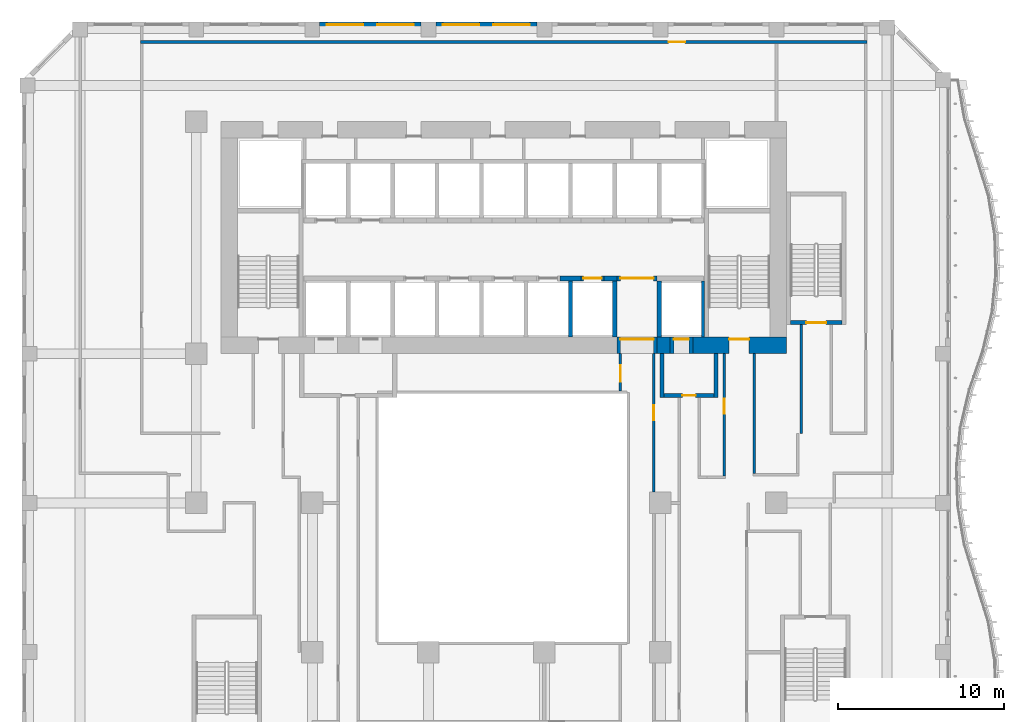
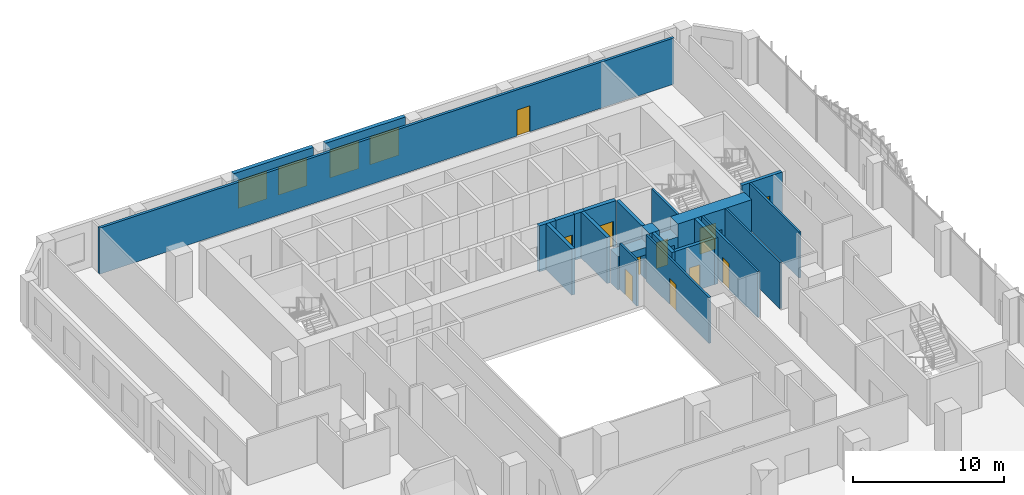
# One storey, part 14 of 25: 24 walls, 11 doors, 4 windows, 15 openings.
"""IFC4 building model written with IfcOpenShell, lengths in metres."""

from ifc_helpers import new_model, si_unit, direction, frame, frame_2d, origin, place, context, subcontext, project, spatial, rectangle, extrude, source, transform, mapped, material, layer, layer_set, type_object, element, fill, save


model = new_model("IFC4")

# Units and contexts
model_context = context("Model", 3, precision=1e-05, world=origin(), true_north=direction((0.0, 1.0)))
body_context = subcontext(model_context, "Body", "Model", "MODEL_VIEW")
ifc_project = project(units=[si_unit("LENGTHUNIT", "METRE"), si_unit("AREAUNIT", "SQUARE_METRE"), si_unit("VOLUMEUNIT", "CUBIC_METRE"), si_unit("PLANEANGLEUNIT", "RADIAN"), si_unit("MASSUNIT", "GRAM", prefix="KILO")], contexts=[model_context])

# Site, building, storey
site_placement = place(None, origin())
site = spatial("IfcSite", under=ifc_project, at=site_placement, CompositionType="ELEMENT")
building_placement = place(site_placement, origin())
building = spatial("IfcBuilding", under=site, at=building_placement, Name="Kilnfold Tower and Market Hall", CompositionType="ELEMENT")
storey_placement = place(building_placement, frame((0.0, 0.0, 39.0)))
storey = spatial("IfcBuildingStorey", under=building, at=storey_placement, Name="L08", CompositionType="ELEMENT", Elevation=39.0)

# Wall, opening, door
ifc_material_1 = material(Name="Gypsum board on steel studs", Category="steel")
ifc_layer_1 = layer(ifc_material_1, 0.14990234375)
ifc_layer_set_1 = layer_set([ifc_layer_1], Name="Gypsum board on steel studs")
wall_type_1 = type_object("IfcWallType", Name="WALL CORRIDOR 150", PredefinedType="PARTITIONING", material=ifc_layer_set_1)
wall_1_placement = place(storey_placement, frame((10.090087890625, -0.35009765625, 0.0), z_axis=(0.0, 0.0, 1.0), x_axis=(0.0, 1.0, 0.0)))
wall_1 = element("IfcWall", 1, at=wall_1_placement, inside=storey, type_object=wall_type_1, Name="Partition LY08.17", PredefinedType="PARTITIONING", context=body_context, shape_type="SweptSolid", body=[
    extrude(rectangle(XDim=8.35009765625, YDim=0.14990234375, at=frame_2d((4.175048828125, 0.0))), origin(), (0.0, 0.0, 1.0), 3.719970703125),
])
opening_1_placement = place(wall_1_placement, frame((4.3291015625, 0.0, 0.0)))
opening_1 = element("IfcOpeningElement", 2, at=opening_1_placement, cuts=wall_1, Name="Opening D2", PredefinedType="OPENING", context=body_context, shape_type="SweptSolid", body=[
    extrude(rectangle(XDim=0.89990234375, YDim=2.10009765625, at=frame_2d((0.449951171875, 1.050048828125))), frame((0.0, 0.0849609375, 0.0), z_axis=(0.0, -1.0, 0.0), x_axis=(1.0, 0.0, 0.0)), (0.0, 0.0, 1.0), 0.169921875),
])
ifc_material_2 = material(Name="Timber veneer door leaf in steel frame", Category="steel")
door_type_1 = type_object("IfcDoorType", Name="DOOR ROOM 900 X2100", OperationType="NOTDEFINED", PredefinedType="DOOR", material=ifc_material_2)
door_1_placement = place(opening_1_placement, origin())
door_1 = element("IfcDoor", 3, at=door_1_placement, inside=storey, type_object=door_type_1, Name="Door D2", OperationType="SINGLE_SWING_RIGHT", OverallHeight=2.10009765625, OverallWidth=0.89990234375, PredefinedType="DOOR", context=body_context, shape_type="SweptSolid", body=[
    extrude(rectangle(XDim=0.89990234375, YDim=2.10009765625, at=frame_2d((0.449951171875, 1.050048828125))), frame((0.0, 0.02490234375, 0.0), z_axis=(0.0, -1.0, 0.0), x_axis=(1.0, 0.0, 0.0)), (0.0, 0.0, 1.0), 0.050048828125),
])
fill(opening_1, door_1)

wall_2_placement = place(storey_placement, frame((14.35009765625, 8.0, 0.0), z_axis=(0.0, 0.0, 1.0), x_axis=(0.0, -1.0, 0.0)))
wall_2 = element("IfcWall", 4, at=wall_2_placement, inside=storey, type_object=wall_type_1, Name="Partition LY08.22", PredefinedType="PARTITIONING", context=body_context, shape_type="SweptSolid", body=[
    extrude(rectangle(XDim=7.375, YDim=0.14990234375, at=frame_2d((3.6875, 0.0))), origin(), (0.0, 0.0, 1.0), 3.719970703125),
])
opening_2_placement = place(wall_2_placement, frame((2.73095703125, 0.0, 0.0)))
opening_2 = element("IfcOpeningElement", 5, at=opening_2_placement, cuts=wall_2, Name="Opening D2", PredefinedType="OPENING", context=body_context, shape_type="SweptSolid", body=[
    extrude(rectangle(XDim=0.89990234375, YDim=2.10009765625, at=frame_2d((0.449951171875, 1.050048828125))), frame((0.0, 0.0849609375, 0.0), z_axis=(0.0, -1.0, 0.0), x_axis=(1.0, 0.0, 0.0)), (0.0, 0.0, 1.0), 0.169921875),
])
door_2_placement = place(opening_2_placement, origin())
door_2 = element("IfcDoor", 6, at=door_2_placement, inside=storey, type_object=door_type_1, Name="Door D2", OperationType="SINGLE_SWING_RIGHT", OverallHeight=2.10009765625, OverallWidth=0.89990234375, PredefinedType="DOOR", context=body_context, shape_type="SweptSolid", body=[
    extrude(rectangle(XDim=0.89990234375, YDim=2.10009765625, at=frame_2d((0.449951171875, 1.050048828125))), frame((0.0, 0.02490234375, 0.0), z_axis=(0.0, -1.0, 0.0), x_axis=(1.0, 0.0, 0.0)), (0.0, 0.0, 1.0), 0.050048828125),
])
fill(opening_2, door_2)

# Walls
wall_3_placement = place(storey_placement, frame((16.14990234375, 0.77490234375, 0.0), z_axis=(0.0, 0.0, 1.0), x_axis=(0.0, 1.0, 0.0)))
element("IfcWall", 7, at=wall_3_placement, inside=storey, type_object=wall_type_1, Name="Partition LY08.23", PredefinedType="PARTITIONING", context=body_context, shape_type="SweptSolid", body=[
    extrude(rectangle(XDim=7.22509765625, YDim=0.14990234375, at=frame_2d((3.612548828125, 0.0))), origin(), (0.0, 0.0, 1.0), 3.719970703125),
])
wall_4_placement = place(storey_placement, frame((19.0, 9.75, 0.0), z_axis=(0.0, 0.0, 1.0), x_axis=(0.0, -1.0, 0.0)))
element("IfcWall", 8, at=wall_4_placement, inside=storey, type_object=wall_type_1, Name="Partition LY08.26", PredefinedType="PARTITIONING", context=body_context, shape_type="SweptSolid", body=[
    extrude(rectangle(XDim=6.550048828125, YDim=0.14990234375, at=frame_2d((3.27490234375, 0.0))), origin(), (0.0, 0.0, 1.0), 3.719970703125),
])

# Wall, opening, door
wall_5_placement = place(storey_placement, frame((8.090087890625, 5.75, 0.0), z_axis=(0.0, 0.0, 1.0), x_axis=(0.0, 1.0, 0.0)))
wall_5 = element("IfcWall", 9, at=wall_5_placement, inside=storey, type_object=wall_type_1, Name="Partition LY08.52", PredefinedType="PARTITIONING", context=body_context, shape_type="SweptSolid", body=[
    extrude(rectangle(XDim=2.25, YDim=0.14990234375, at=frame_2d((1.125, 0.0))), origin(), (0.0, 0.0, 1.0), 3.719970703125),
])
opening_3_placement = place(wall_5_placement, frame((0.550048828125, 0.0, 0.0)))
opening_3 = element("IfcOpeningElement", 10, at=opening_3_placement, cuts=wall_5, Name="Opening D1", PredefinedType="OPENING", context=body_context, shape_type="SweptSolid", body=[
    extrude(rectangle(XDim=1.0, YDim=2.10009765625, at=frame_2d((0.5, 1.050048828125))), frame((0.0, 0.0849609375, 0.0), z_axis=(0.0, -1.0, 0.0), x_axis=(1.0, 0.0, 0.0)), (0.0, 0.0, 1.0), 0.169921875),
])
ifc_material_3 = material(Name="Timber veneer door leaf in steel frame", Category="steel")
door_type_2 = type_object("IfcDoorType", Name="DOOR ENTRY 1000 X2100", OperationType="NOTDEFINED", PredefinedType="DOOR", material=ifc_material_3)
door_3_placement = place(opening_3_placement, origin())
door_3 = element("IfcDoor", 11, at=door_3_placement, inside=storey, type_object=door_type_2, Name="Door D1", OperationType="SINGLE_SWING_RIGHT", OverallHeight=2.10009765625, OverallWidth=1.0, PredefinedType="DOOR", context=body_context, shape_type="SweptSolid", body=[
    extrude(rectangle(XDim=1.0, YDim=2.10009765625, at=frame_2d((0.5, 1.050048828125))), frame((0.0, 0.02490234375, 0.0), z_axis=(0.0, -1.0, 0.0), x_axis=(1.0, 0.0, 0.0)), (0.0, 0.0, 1.0), 0.050048828125),
])
fill(opening_3, door_3)

ifc_material_4 = material(Name="Gypsum board on steel studs", Category="steel")
ifc_layer_2 = layer(ifc_material_4, 0.199951171875)
ifc_layer_set_2 = layer_set([ifc_layer_2], Name="Gypsum board on steel studs")
wall_type_2 = type_object("IfcWallType", Name="WALL PARTY 200", PredefinedType="PARTITIONING", material=ifc_layer_set_2)
wall_6_placement = place(storey_placement, frame((-20.8740234375, 26.800048828125, 0.0), z_axis=(0.0, 0.0, 1.0), x_axis=(1.0, 0.0, 0.0)))
wall_6 = element("IfcWall", 12, at=wall_6_placement, inside=storey, type_object=wall_type_2, Name="Partition LY08.56", PredefinedType="PARTITIONING", context=body_context, shape_type="SweptSolid", body=[
    extrude(rectangle(XDim=43.84814453125, YDim=0.199951171875, at=frame_2d((21.924072265625, 0.0))), origin(), (0.0, 0.0, 1.0), 3.719970703125),
])
opening_4_placement = place(wall_6_placement, frame((31.863037109375, 0.0, 0.0)))
opening_4 = element("IfcOpeningElement", 13, at=opening_4_placement, cuts=wall_6, Name="Opening D1", PredefinedType="OPENING", context=body_context, shape_type="SweptSolid", body=[
    extrude(rectangle(XDim=1.0, YDim=2.10009765625, at=frame_2d((0.5, 1.050048828125))), frame((0.0, 0.10986328125, 0.0), z_axis=(0.0, -1.0, 0.0), x_axis=(1.0, 0.0, 0.0)), (0.0, 0.0, 1.0), 0.219970703125),
])
door_4_placement = place(opening_4_placement, origin())
door_4 = element("IfcDoor", 14, at=door_4_placement, inside=storey, type_object=door_type_2, Name="Door D1", OperationType="SINGLE_SWING_RIGHT", OverallHeight=2.10009765625, OverallWidth=1.0, PredefinedType="DOOR", context=body_context, shape_type="SweptSolid", body=[
    extrude(rectangle(XDim=1.0, YDim=2.10009765625, at=frame_2d((0.5, 1.050048828125))), frame((0.0, 0.02490234375, 0.0), z_axis=(0.0, -1.0, 0.0), x_axis=(1.0, 0.0, 0.0)), (0.0, 0.0, 1.0), 0.050048828125),
])
fill(opening_4, door_4)

# Wall
ifc_material_5 = material(Name="Concrete C80", Category="concrete")
ifc_layer_3 = layer(ifc_material_5, 1.0)
ifc_layer_set_3 = layer_set([ifc_layer_3], Name="Concrete C80")
wall_type_3 = type_object("IfcWallType", Name="CORE WALL 1000 C80", PredefinedType="SHEAR", material=ifc_layer_set_3)
shared_shape_1 = source(origin(), body_context, "Body", "SweptSolid", [
    extrude(rectangle(XDim=0.780029296875, YDim=1.0, at=frame_2d((0.39013671875, 0.0))), origin(), (0.0, 0.0, 1.0), 3.719970703125),
])
wall_7_placement = place(storey_placement, frame((10.2900390625, 8.5, 0.0), z_axis=(0.0, 0.0, 1.0), x_axis=(1.0, 0.0, 0.0)))
element("IfcWall", 15, at=wall_7_placement, inside=storey, type_object=wall_type_3, Name="Core outer wall south", PredefinedType="SHEAR", context=body_context, shape_type="MappedRepresentation", body=[
    mapped(shared_shape_1, transform((0.0, 0.0, 0.0))),
])

# Wall, opening, door
shared_shape_2 = source(origin(), body_context, "Body", "SweptSolid", [
    extrude(rectangle(XDim=5.630126953125, YDim=1.0, at=frame_2d((2.81494140625, 0.0))), origin(), (0.0, 0.0, 1.0), 3.719970703125),
])
wall_8_placement = place(storey_placement, frame((12.469970703125, 8.5, 0.0), z_axis=(0.0, 0.0, 1.0), x_axis=(1.0, 0.0, 0.0)))
wall_8 = element("IfcWall", 16, at=wall_8_placement, inside=storey, type_object=wall_type_3, Name="Core outer wall south", PredefinedType="SHEAR", context=body_context, shape_type="MappedRepresentation", body=[
    mapped(shared_shape_2, transform((0.0, 0.0, 0.0))),
])
opening_5_placement = place(wall_8_placement, frame((2.179931640625, 0.0, 0.0)))
opening_5 = element("IfcOpeningElement", 17, at=opening_5_placement, cuts=wall_8, Name="Opening SD1", PredefinedType="OPENING", context=body_context, shape_type="SweptSolid", body=[
    extrude(rectangle(XDim=1.199951171875, YDim=2.10009765625, at=frame_2d((0.60009765625, 1.050048828125))), frame((0.0, 0.510009765625, 0.0), z_axis=(0.0, -1.0, 0.0), x_axis=(1.0, 0.0, 0.0)), (0.0, 0.0, 1.0), 1.02001953125),
])
ifc_material_6 = material(Name="Steel door set with fire-resisting leaf", Category="steel")
door_type_3 = type_object("IfcDoorType", Name="STAIR FLOOR DOOR 1200X2100", OperationType="NOTDEFINED", PredefinedType="DOOR", material=ifc_material_6)
door_5_placement = place(opening_5_placement, origin())
door_5 = element("IfcDoor", 18, at=door_5_placement, inside=storey, type_object=door_type_3, Name="Exit stair ST2 door", OperationType="DOUBLE_DOOR_SINGLE_SWING", OverallHeight=2.10009765625, OverallWidth=1.199951171875, PredefinedType="DOOR", context=body_context, shape_type="SweptSolid", body=[
    extrude(rectangle(XDim=1.199951171875, YDim=2.10009765625, at=frame_2d((0.60009765625, 1.050048828125))), frame((0.0, 0.40478515625, 0.0), z_axis=(0.0, -1.0, 0.0), x_axis=(1.0, 0.0, 0.0)), (0.0, 0.0, 1.0), 0.050048828125),
])
fill(opening_5, door_5)

ifc_material_7 = material(Name="Concrete C80", Category="concrete")
ifc_layer_4 = layer(ifc_material_7, 0.25)
ifc_layer_set_4 = layer_set([ifc_layer_4], Name="Concrete C80")
wall_type_4 = type_object("IfcWallType", Name="CORE WALL 250 C80", PredefinedType="SHEAR", material=ifc_layer_set_4)
shared_shape_3 = source(origin(), body_context, "Body", "SweptSolid", [
    extrude(rectangle(XDim=3.099853515625, YDim=0.25, at=frame_2d((1.5498046875, 0.0))), origin(), (0.0, 0.0, 1.0), 3.719970703125),
])
wall_9_placement = place(storey_placement, frame((18.35009765625, 9.875, 0.0), z_axis=(0.0, 0.0, 1.0), x_axis=(1.0, 0.0, 0.0)))
wall_9 = element("IfcWall", 19, at=wall_9_placement, inside=storey, type_object=wall_type_4, Name="Stair enclosure ST5", PredefinedType="SHEAR", context=body_context, shape_type="MappedRepresentation", body=[
    mapped(shared_shape_3, transform((0.0, 0.0, 0.0))),
])
opening_6_placement = place(wall_9_placement, frame((0.949951171875, 0.0, 0.0)))
opening_6 = element("IfcOpeningElement", 20, at=opening_6_placement, cuts=wall_9, Name="Opening SD1", PredefinedType="OPENING", context=body_context, shape_type="SweptSolid", body=[
    extrude(rectangle(XDim=1.199951171875, YDim=2.10009765625, at=frame_2d((0.60009765625, 1.050048828125))), frame((0.0, 0.135009765625, 0.0), z_axis=(0.0, -1.0, 0.0), x_axis=(1.0, 0.0, 0.0)), (0.0, 0.0, 1.0), 0.27001953125),
])
door_6_placement = place(opening_6_placement, origin())
door_6 = element("IfcDoor", 21, at=door_6_placement, inside=storey, type_object=door_type_3, Name="Exit stair ST5 door", OperationType="DOUBLE_DOOR_SINGLE_SWING", OverallHeight=2.10009765625, OverallWidth=1.199951171875, PredefinedType="DOOR", context=body_context, shape_type="SweptSolid", body=[
    extrude(rectangle(XDim=1.199951171875, YDim=2.10009765625, at=frame_2d((0.60009765625, 1.050048828125))), frame((0.0, 0.02490234375, 0.0), z_axis=(0.0, -1.0, 0.0), x_axis=(1.0, 0.0, 0.0)), (0.0, 0.0, 1.0), 0.050048828125),
])
fill(opening_6, door_6)

# Walls
ifc_material_8 = material(Name="Concrete C80", Category="concrete")
ifc_layer_5 = layer(ifc_material_8, 0.300048828125)
ifc_layer_set_5 = layer_set([ifc_layer_5], Name="Concrete C80")
wall_type_5 = type_object("IfcWallType", Name="CORE WALL 300 C80", PredefinedType="SHEAR", material=ifc_layer_set_5)
shared_shape_4 = source(origin(), body_context, "Body", "SweptSolid", [
    extrude(rectangle(XDim=1.280029296875, YDim=0.300048828125, at=frame_2d((0.64013671875, 0.0))), origin(), (0.0, 0.0, 1.0), 3.719970703125),
])
wall_10_placement = place(storey_placement, frame((4.429931640625, 12.550048828125, 0.0), z_axis=(0.0, 0.0, 1.0), x_axis=(1.0, 0.0, 0.0)))
element("IfcWall", 22, at=wall_10_placement, inside=storey, type_object=wall_type_5, Name="Core spine wall", PredefinedType="SHEAR", context=body_context, shape_type="MappedRepresentation", body=[
    mapped(shared_shape_4, transform((0.0, 0.0, 0.0))),
])
shared_shape_5 = source(origin(), body_context, "Body", "SweptSolid", [
    extrude(rectangle(XDim=0.77978515625, YDim=0.300048828125, at=frame_2d((0.389892578125, 0.0))), origin(), (0.0, 0.0, 1.0), 3.719970703125),
])
wall_11_placement = place(storey_placement, frame((7.110107421875, 12.550048828125, 0.0), z_axis=(0.0, 0.0, 1.0), x_axis=(1.0, 0.0, 0.0)))
element("IfcWall", 23, at=wall_11_placement, inside=storey, type_object=wall_type_5, Name="Core spine wall", PredefinedType="SHEAR", context=body_context, shape_type="MappedRepresentation", body=[
    mapped(shared_shape_5, transform((0.0, 0.0, 0.0))),
])

# Wall, openings, windows
ifc_material_9 = material(Name="Precast concrete C50/60", Category="concrete")
ifc_layer_6 = layer(ifc_material_9, 0.300048828125)
ifc_layer_set_6 = layer_set([ifc_layer_6], Name="Precast concrete C50/60")
wall_type_6 = type_object("IfcWallType", Name="PRECAST WALL 300", PredefinedType="SOLIDWALL", material=ifc_layer_set_6)
shared_shape_6 = source(origin(), body_context, "Body", "SweptSolid", [
    extrude(rectangle(XDim=6.10009765625, YDim=0.300048828125, at=frame_2d((3.050048828125, 0.0))), origin(), (0.0, 0.0, 1.0), 3.719970703125),
])
wall_12_placement = place(storey_placement, frame((3.050048828125, 27.85009765625, 0.0), z_axis=(0.0, 0.0, 1.0), x_axis=(-1.0, 0.0, 0.0)))
wall_12 = element("IfcWall", 24, at=wall_12_placement, inside=storey, type_object=wall_type_6, Name="External wall L08 N", PredefinedType="SOLIDWALL", context=body_context, shape_type="MappedRepresentation", body=[
    mapped(shared_shape_6, transform((0.0, 0.0, 0.0))),
])
opening_7_placement = place(wall_12_placement, frame((0.425048828125, 0.0, 0.699951171875)))
opening_7 = element("IfcOpeningElement", 25, at=opening_7_placement, cuts=wall_12, Name="Opening W1", PredefinedType="OPENING", context=body_context, shape_type="SweptSolid", body=[
    extrude(rectangle(XDim=2.199951171875, YDim=2.25, at=frame_2d((1.10009765625, 1.125))), frame((0.0, 0.16015625, 0.0), z_axis=(0.0, -1.0, 0.0), x_axis=(1.0, 0.0, 0.0)), (0.0, 0.0, 1.0), 0.320068359375),
])
opening_8_placement = place(wall_12_placement, frame((3.47509765625, 0.0, 0.699951171875)))
opening_8 = element("IfcOpeningElement", 26, at=opening_8_placement, cuts=wall_12, Name="Opening W1", PredefinedType="OPENING", context=body_context, shape_type="SweptSolid", body=[
    extrude(rectangle(XDim=2.199951171875, YDim=2.25, at=frame_2d((1.10009765625, 1.125))), frame((0.0, 0.16015625, 0.0), z_axis=(0.0, -1.0, 0.0), x_axis=(1.0, 0.0, 0.0)), (0.0, 0.0, 1.0), 0.320068359375),
])
ifc_material_10 = material(Name="Aluminium frame and double glazing", Category="aluminium")
window_type = type_object("IfcWindowType", Name="WINDOW W1 2200X2250", PartitioningType="SINGLE_PANEL", PredefinedType="WINDOW", material=ifc_material_10)
window_1_placement = place(opening_7_placement, origin())
window_1 = element("IfcWindow", 27, at=window_1_placement, inside=storey, type_object=window_type, Name="Window W1 L08 N-1", OverallHeight=2.25, OverallWidth=2.199951171875, PartitioningType="SINGLE_PANEL", PredefinedType="WINDOW", context=body_context, shape_type="SweptSolid", body=[
    extrude(rectangle(XDim=2.199951171875, YDim=2.25, at=frame_2d((1.10009765625, 1.125))), frame((0.0, 0.030029296875, 0.0), z_axis=(0.0, -1.0, 0.0), x_axis=(1.0, 0.0, 0.0)), (0.0, 0.0, 1.0), 0.06005859375),
])
fill(opening_7, window_1)
window_2_placement = place(opening_8_placement, origin())
window_2 = element("IfcWindow", 28, at=window_2_placement, inside=storey, type_object=window_type, Name="Window W1 L08 N-2", OverallHeight=2.25, OverallWidth=2.199951171875, PartitioningType="SINGLE_PANEL", PredefinedType="WINDOW", context=body_context, shape_type="SweptSolid", body=[
    extrude(rectangle(XDim=2.199951171875, YDim=2.25, at=frame_2d((1.10009765625, 1.125))), frame((0.0, 0.030029296875, 0.0), z_axis=(0.0, -1.0, 0.0), x_axis=(1.0, 0.0, 0.0)), (0.0, 0.0, 1.0), 0.06005859375),
])
fill(opening_8, window_2)

wall_13_placement = place(storey_placement, frame((-3.949951171875, 27.85009765625, 0.0), z_axis=(0.0, 0.0, 1.0), x_axis=(-1.0, 0.0, 0.0)))
wall_13 = element("IfcWall", 29, at=wall_13_placement, inside=storey, type_object=wall_type_6, Name="External wall L08 N", PredefinedType="SOLIDWALL", context=body_context, shape_type="MappedRepresentation", body=[
    mapped(shared_shape_6, transform((0.0, 0.0, 0.0))),
])
opening_9_placement = place(wall_13_placement, frame((0.425048828125, 0.0, 0.699951171875)))
opening_9 = element("IfcOpeningElement", 30, at=opening_9_placement, cuts=wall_13, Name="Opening W1", PredefinedType="OPENING", context=body_context, shape_type="SweptSolid", body=[
    extrude(rectangle(XDim=2.199951171875, YDim=2.25, at=frame_2d((1.10009765625, 1.125))), frame((0.0, 0.16015625, 0.0), z_axis=(0.0, -1.0, 0.0), x_axis=(1.0, 0.0, 0.0)), (0.0, 0.0, 1.0), 0.320068359375),
])
opening_10_placement = place(wall_13_placement, frame((3.47509765625, 0.0, 0.699951171875)))
opening_10 = element("IfcOpeningElement", 31, at=opening_10_placement, cuts=wall_13, Name="Opening W1", PredefinedType="OPENING", context=body_context, shape_type="SweptSolid", body=[
    extrude(rectangle(XDim=2.199951171875, YDim=2.25, at=frame_2d((1.10009765625, 1.125))), frame((0.0, 0.16015625, 0.0), z_axis=(0.0, -1.0, 0.0), x_axis=(1.0, 0.0, 0.0)), (0.0, 0.0, 1.0), 0.320068359375),
])
window_3_placement = place(opening_9_placement, origin())
window_3 = element("IfcWindow", 32, at=window_3_placement, inside=storey, type_object=window_type, Name="Window W1 L08 N-1", OverallHeight=2.25, OverallWidth=2.199951171875, PartitioningType="SINGLE_PANEL", PredefinedType="WINDOW", context=body_context, shape_type="SweptSolid", body=[
    extrude(rectangle(XDim=2.199951171875, YDim=2.25, at=frame_2d((1.10009765625, 1.125))), frame((0.0, 0.030029296875, 0.0), z_axis=(0.0, -1.0, 0.0), x_axis=(1.0, 0.0, 0.0)), (0.0, 0.0, 1.0), 0.06005859375),
])
fill(opening_9, window_3)
window_4_placement = place(opening_10_placement, origin())
window_4 = element("IfcWindow", 33, at=window_4_placement, inside=storey, type_object=window_type, Name="Window W1 L08 N-2", OverallHeight=2.25, OverallWidth=2.199951171875, PartitioningType="SINGLE_PANEL", PredefinedType="WINDOW", context=body_context, shape_type="SweptSolid", body=[
    extrude(rectangle(XDim=2.199951171875, YDim=2.25, at=frame_2d((1.10009765625, 1.125))), frame((0.0, 0.030029296875, 0.0), z_axis=(0.0, -1.0, 0.0), x_axis=(1.0, 0.0, 0.0)), (0.0, 0.0, 1.0), 0.06005859375),
])
fill(opening_10, window_4)

# Wall, opening, door
ifc_material_11 = material(Name="Gypsum shaft wall system")
ifc_layer_7 = layer(ifc_material_11, 1.0)
ifc_layer_set_7 = layer_set([ifc_layer_7], Name="Gypsum shaft wall system")
wall_type_7 = type_object("IfcWallType", Name="LOBBY WALL 1000", PredefinedType="PARTITIONING", material=ifc_layer_set_7)
shared_shape_7 = source(origin(), body_context, "Body", "SweptSolid", [
    extrude(rectangle(XDim=1.39990234375, YDim=1.0, at=frame_2d((0.699951171875, 0.0))), origin(), (0.0, 0.0, 1.0), 2.699951171875),
])
wall_14_placement = place(storey_placement, frame((11.070068359375, 8.5, 0.0), z_axis=(0.0, 0.0, 1.0), x_axis=(1.0, 0.0, 0.0)))
wall_14 = element("IfcWall", 34, at=wall_14_placement, inside=storey, type_object=wall_type_7, Name="Core wall infill", PredefinedType="PARTITIONING", context=body_context, shape_type="MappedRepresentation", body=[
    mapped(shared_shape_7, transform((0.0, 0.0, 0.0))),
])
opening_11_placement = place(wall_14_placement, frame((0.25, 0.0, 0.0)))
opening_11 = element("IfcOpeningElement", 35, at=opening_11_placement, cuts=wall_14, Name="Opening LD1", PredefinedType="OPENING", context=body_context, shape_type="SweptSolid", body=[
    extrude(rectangle(XDim=0.89990234375, YDim=2.10009765625, at=frame_2d((0.449951171875, 1.050048828125))), frame((0.0, 0.510009765625, 0.0), z_axis=(0.0, -1.0, 0.0), x_axis=(1.0, 0.0, 0.0)), (0.0, 0.0, 1.0), 1.02001953125),
])
ifc_material_12 = material(Name="Steel door set with fire-resisting leaf", Category="steel")
door_type_4 = type_object("IfcDoorType", Name="FIREFIGHTING LANDING DOOR 900X2100", OperationType="NOTDEFINED", PredefinedType="DOOR", material=ifc_material_12)
door_7_placement = place(opening_11_placement, origin())
door_7 = element("IfcDoor", 36, at=door_7_placement, inside=storey, type_object=door_type_4, Name="Landing door FF3", OperationType="SLIDING_TO_LEFT", OverallHeight=2.10009765625, OverallWidth=0.89990234375, PredefinedType="DOOR", context=body_context, shape_type="SweptSolid", body=[
    extrude(rectangle(XDim=0.89990234375, YDim=2.10009765625, at=frame_2d((0.449951171875, 1.050048828125))), frame((0.0, 0.40478515625, 0.0), z_axis=(0.0, -1.0, 0.0), x_axis=(1.0, 0.0, 0.0)), (0.0, 0.0, 1.0), 0.050048828125),
])
fill(opening_11, door_7)

shared_shape_8 = source(origin(), body_context, "Body", "SweptSolid", [
    extrude(rectangle(XDim=2.400146484375, YDim=1.0, at=frame_2d((1.2001953125, 0.0))), origin(), (0.0, 0.0, 1.0), 2.699951171875),
])
wall_15_placement = place(storey_placement, frame((7.889892578125, 8.5, 0.0), z_axis=(0.0, 0.0, 1.0), x_axis=(1.0, 0.0, 0.0)))
wall_15 = element("IfcWall", 37, at=wall_15_placement, inside=storey, type_object=wall_type_7, Name="Core wall infill", PredefinedType="PARTITIONING", context=body_context, shape_type="MappedRepresentation", body=[
    mapped(shared_shape_8, transform((0.0, 0.0, 0.0))),
])
opening_12_placement = place(wall_15_placement, frame((0.199951171875, 0.0, 0.0)))
opening_12 = element("IfcOpeningElement", 38, at=opening_12_placement, cuts=wall_15, Name="Opening VD2", PredefinedType="OPENING", context=body_context, shape_type="SweptSolid", body=[
    extrude(rectangle(XDim=2.0, YDim=2.10009765625, at=frame_2d((1.0, 1.050048828125))), frame((0.0, 0.510009765625, 0.0), z_axis=(0.0, -1.0, 0.0), x_axis=(1.0, 0.0, 0.0)), (0.0, 0.0, 1.0), 1.02001953125),
])
ifc_material_13 = material(Name="Steel door set with fire-resisting leaf", Category="steel")
door_type_5 = type_object("IfcDoorType", Name="LIFT LOBBY ENTRANCE DOOR 2000X2100", OperationType="NOTDEFINED", PredefinedType="DOOR", material=ifc_material_13)
door_8_placement = place(opening_12_placement, origin())
door_8 = element("IfcDoor", 39, at=door_8_placement, inside=storey, type_object=door_type_5, Name="Lift lobby entrance door", OperationType="DOUBLE_DOOR_SINGLE_SWING", OverallHeight=2.10009765625, OverallWidth=2.0, PredefinedType="DOOR", context=body_context, shape_type="SweptSolid", body=[
    extrude(rectangle(XDim=2.0, YDim=2.10009765625, at=frame_2d((1.0, 1.050048828125))), frame((0.0, 0.40478515625, 0.0), z_axis=(0.0, -1.0, 0.0), x_axis=(1.0, 0.0, 0.0)), (0.0, 0.0, 1.0), 0.050048828125),
])
fill(opening_12, door_8)

ifc_material_14 = material(Name="Gypsum shaft wall system")
ifc_layer_8 = layer(ifc_material_14, 0.300048828125)
ifc_layer_set_8 = layer_set([ifc_layer_8], Name="Gypsum shaft wall system")
wall_type_8 = type_object("IfcWallType", Name="SHAFT WALL 300", PredefinedType="PARTITIONING", material=ifc_layer_set_8)
shared_shape_9 = source(origin(), body_context, "Body", "SweptSolid", [
    extrude(rectangle(XDim=1.400146484375, YDim=0.300048828125, at=frame_2d((0.7001953125, 0.0))), origin(), (0.0, 0.0, 1.0), 3.719970703125),
])
wall_16_placement = place(storey_placement, frame((5.7099609375, 12.550048828125, 0.0), z_axis=(0.0, 0.0, 1.0), x_axis=(1.0, 0.0, 0.0)))
wall_16 = element("IfcWall", 40, at=wall_16_placement, inside=storey, type_object=wall_type_8, Name="Lift shaft front wall", PredefinedType="PARTITIONING", context=body_context, shape_type="MappedRepresentation", body=[
    mapped(shared_shape_9, transform((0.0, 0.0, 0.0))),
])
opening_13_placement = place(wall_16_placement, frame((0.14990234375, 0.0, 0.0)))
opening_13 = element("IfcOpeningElement", 41, at=opening_13_placement, cuts=wall_16, Name="Opening LD2", PredefinedType="OPENING", context=body_context, shape_type="SweptSolid", body=[
    extrude(rectangle(XDim=1.10009765625, YDim=2.10009765625, at=frame_2d((0.550048828125, 1.050048828125))), frame((0.0, 0.16015625, 0.0), z_axis=(0.0, -1.0, 0.0), x_axis=(1.0, 0.0, 0.0)), (0.0, 0.0, 1.0), 0.320068359375),
])
ifc_material_15 = material(Name="Steel door set with fire-resisting leaf", Category="steel")
door_type_6 = type_object("IfcDoorType", Name="LANDING DOOR 1100X2100", OperationType="NOTDEFINED", PredefinedType="DOOR", material=ifc_material_15)
door_9_placement = place(opening_13_placement, origin())
door_9 = element("IfcDoor", 42, at=door_9_placement, inside=storey, type_object=door_type_6, Name="Landing door LR5", OperationType="DOUBLE_DOOR_SLIDING", OverallHeight=2.10009765625, OverallWidth=1.10009765625, PredefinedType="DOOR", context=body_context, shape_type="SweptSolid", body=[
    extrude(rectangle(XDim=1.10009765625, YDim=2.10009765625, at=frame_2d((0.550048828125, 1.050048828125))), frame((0.0, 0.02490234375, 0.0), z_axis=(0.0, -1.0, 0.0), x_axis=(1.0, 0.0, 0.0)), (0.0, 0.0, 1.0), 0.050048828125),
])
fill(opening_13, door_9)

shared_shape_10 = source(origin(), body_context, "Body", "SweptSolid", [
    extrude(rectangle(XDim=2.400146484375, YDim=0.300048828125, at=frame_2d((1.2001953125, 0.0))), origin(), (0.0, 0.0, 1.0), 3.719970703125),
])
wall_17_placement = place(storey_placement, frame((7.889892578125, 12.550048828125, 0.0), z_axis=(0.0, 0.0, 1.0), x_axis=(1.0, 0.0, 0.0)))
wall_17 = element("IfcWall", 43, at=wall_17_placement, inside=storey, type_object=wall_type_8, Name="Lift shaft front wall", PredefinedType="PARTITIONING", context=body_context, shape_type="MappedRepresentation", body=[
    mapped(shared_shape_10, transform((0.0, 0.0, 0.0))),
])
opening_14_placement = place(wall_17_placement, frame((0.199951171875, 0.0, 0.0)))
opening_14 = element("IfcOpeningElement", 44, at=opening_14_placement, cuts=wall_17, Name="Opening VD2", PredefinedType="OPENING", context=body_context, shape_type="SweptSolid", body=[
    extrude(rectangle(XDim=2.0, YDim=2.10009765625, at=frame_2d((1.0, 1.050048828125))), frame((0.0, 0.16015625, 0.0), z_axis=(0.0, -1.0, 0.0), x_axis=(1.0, 0.0, 0.0)), (0.0, 0.0, 1.0), 0.320068359375),
])
door_10_placement = place(opening_14_placement, origin())
door_10 = element("IfcDoor", 45, at=door_10_placement, inside=storey, type_object=door_type_5, Name="Lift lobby entrance door", OperationType="DOUBLE_DOOR_SINGLE_SWING", OverallHeight=2.10009765625, OverallWidth=2.0, PredefinedType="DOOR", context=body_context, shape_type="SweptSolid", body=[
    extrude(rectangle(XDim=2.0, YDim=2.10009765625, at=frame_2d((1.0, 1.050048828125))), frame((0.0, 0.02490234375, 0.0), z_axis=(0.0, -1.0, 0.0), x_axis=(1.0, 0.0, 0.0)), (0.0, 0.0, 1.0), 0.050048828125),
])
fill(opening_14, door_10)

# Walls
ifc_material_16 = material(Name="Gypsum shaft wall system")
ifc_layer_9 = layer(ifc_material_16, 0.25)
ifc_layer_set_9 = layer_set([ifc_layer_9], Name="Gypsum shaft wall system")
wall_type_9 = type_object("IfcWallType", Name="LOBBY WALL 250", PredefinedType="PARTITIONING", material=ifc_layer_set_9)
shared_shape_11 = source(origin(), body_context, "Body", "SweptSolid", [
    extrude(rectangle(XDim=2.64990234375, YDim=0.25, at=frame_2d((1.324951171875, 0.0))), origin(), (0.0, 0.0, 1.0), 3.719970703125),
])
for number, where, z_axis, x_axis, name in (
    (46, (10.60498046875, 5.35009765625, 0.0), (0.0, 0.0, 1.0), (0.0, 1.0, 0.0), "Firefighting lobby wall"),
    (47, (13.85498046875, 5.35009765625, 0.0), (0.0, 0.0, 1.0), (0.0, 1.0, 0.0), "Firefighting lobby wall"),
):
    element("IfcWall", number, at=place(storey_placement, frame(where, z_axis=z_axis, x_axis=x_axis)), inside=storey, type_object=wall_type_9, Name=name, PredefinedType="PARTITIONING", context=body_context, shape_type="MappedRepresentation", body=[
        mapped(shared_shape_11, transform((0.0, 0.0, 0.0))),
    ])

# Wall, opening, door
shared_shape_12 = source(origin(), body_context, "Body", "SweptSolid", [
    extrude(rectangle(XDim=3.0, YDim=0.25, at=frame_2d((1.5, 0.0))), origin(), (0.0, 0.0, 1.0), 3.719970703125),
])
wall_18_placement = place(storey_placement, frame((10.72998046875, 5.47509765625, 0.0), z_axis=(0.0, 0.0, 1.0), x_axis=(1.0, 0.0, 0.0)))
wall_18 = element("IfcWall", 48, at=wall_18_placement, inside=storey, type_object=wall_type_9, Name="Firefighting lobby wall", PredefinedType="PARTITIONING", context=body_context, shape_type="MappedRepresentation", body=[
    mapped(shared_shape_12, transform((0.0, 0.0, 0.0))),
])
opening_15_placement = place(wall_18_placement, frame((1.10009765625, 0.0, 0.0)))
opening_15 = element("IfcOpeningElement", 49, at=opening_15_placement, cuts=wall_18, Name="Opening VD1", PredefinedType="OPENING", context=body_context, shape_type="SweptSolid", body=[
    extrude(rectangle(XDim=0.800048828125, YDim=2.0, at=frame_2d((0.39990234375, 1.0))), frame((0.0, 0.135009765625, 0.0), z_axis=(0.0, -1.0, 0.0), x_axis=(1.0, 0.0, 0.0)), (0.0, 0.0, 1.0), 0.27001953125),
])
ifc_material_17 = material(Name="Steel door set with fire-resisting leaf", Category="steel")
door_type_7 = type_object("IfcDoorType", Name="FIREFIGHTING LOBBY DOOR 800X2000", OperationType="NOTDEFINED", PredefinedType="DOOR", material=ifc_material_17)
door_11_placement = place(opening_15_placement, origin())
door_11 = element("IfcDoor", 50, at=door_11_placement, inside=storey, type_object=door_type_7, Name="Firefighting lobby door", OperationType="SINGLE_SWING_RIGHT", OverallHeight=2.0, OverallWidth=0.800048828125, PredefinedType="DOOR", context=body_context, shape_type="SweptSolid", body=[
    extrude(rectangle(XDim=0.800048828125, YDim=2.0, at=frame_2d((0.39990234375, 1.0))), frame((0.0, 0.02490234375, 0.0), z_axis=(0.0, -1.0, 0.0), x_axis=(1.0, 0.0, 0.0)), (0.0, 0.0, 1.0), 0.050048828125),
])
fill(opening_15, door_11)

# Walls
ifc_material_18 = material(Name="Gypsum shaft wall system")
ifc_layer_10 = layer(ifc_material_18, 0.25)
ifc_layer_set_10 = layer_set([ifc_layer_10], Name="Gypsum shaft wall system")
wall_type_10 = type_object("IfcWallType", Name="SHAFT WALL 250", PredefinedType="PARTITIONING", material=ifc_layer_set_10)
shared_shape_13 = source(origin(), body_context, "Body", "SweptSolid", [
    extrude(rectangle(XDim=3.39990234375, YDim=0.25, at=frame_2d((1.699951171875, 0.0))), origin(), (0.0, 0.0, 1.0), 3.719970703125),
])
for number, where, z_axis, x_axis, name in (
    (51, (10.429931640625, 9.0, 0.0), (0.0, 0.0, 1.0), (0.0, 1.0, 0.0), "Lift shaft wall"),
    (52, (5.070068359375, 9.0, 0.0), (0.0, 0.0, 1.0), (0.0, 1.0, 0.0), "Lift shaft wall"),
    (53, (7.75, 9.0, 0.0), (0.0, 0.0, 1.0), (0.0, 1.0, 0.0), "Lift shaft wall"),
):
    element("IfcWall", number, at=place(storey_placement, frame(where, z_axis=z_axis, x_axis=x_axis)), inside=storey, type_object=wall_type_10, Name=name, PredefinedType="PARTITIONING", context=body_context, shape_type="MappedRepresentation", body=[
        mapped(shared_shape_13, transform((0.0, 0.0, 0.0))),
    ])
ifc_material_19 = material(Name="Gypsum shaft wall system")
ifc_layer_11 = layer(ifc_material_19, 0.1650390625)
ifc_layer_set_11 = layer_set([ifc_layer_11], Name="Gypsum shaft wall system")
wall_type_11 = type_object("IfcWallType", Name="SHAFT WALL 165", PredefinedType="PARTITIONING", material=ifc_layer_set_11)
shared_shape_14 = source(origin(), body_context, "Body", "SweptSolid", [
    extrude(rectangle(XDim=3.39990234375, YDim=0.1650390625, at=frame_2d((1.699951171875, 0.0))), origin(), (0.0, 0.0, 1.0), 3.719970703125),
])
wall_19_placement = place(storey_placement, frame((13.0673828125, 9.0, 0.0), z_axis=(0.0, 0.0, 1.0), x_axis=(0.0, 1.0, 0.0)))
element("IfcWall", 54, at=wall_19_placement, inside=storey, type_object=wall_type_11, Name="Lift shaft wall", PredefinedType="PARTITIONING", context=body_context, shape_type="MappedRepresentation", body=[
    mapped(shared_shape_14, transform((0.0, 0.0, 0.0))),
])

save(model, "model.ifc")
